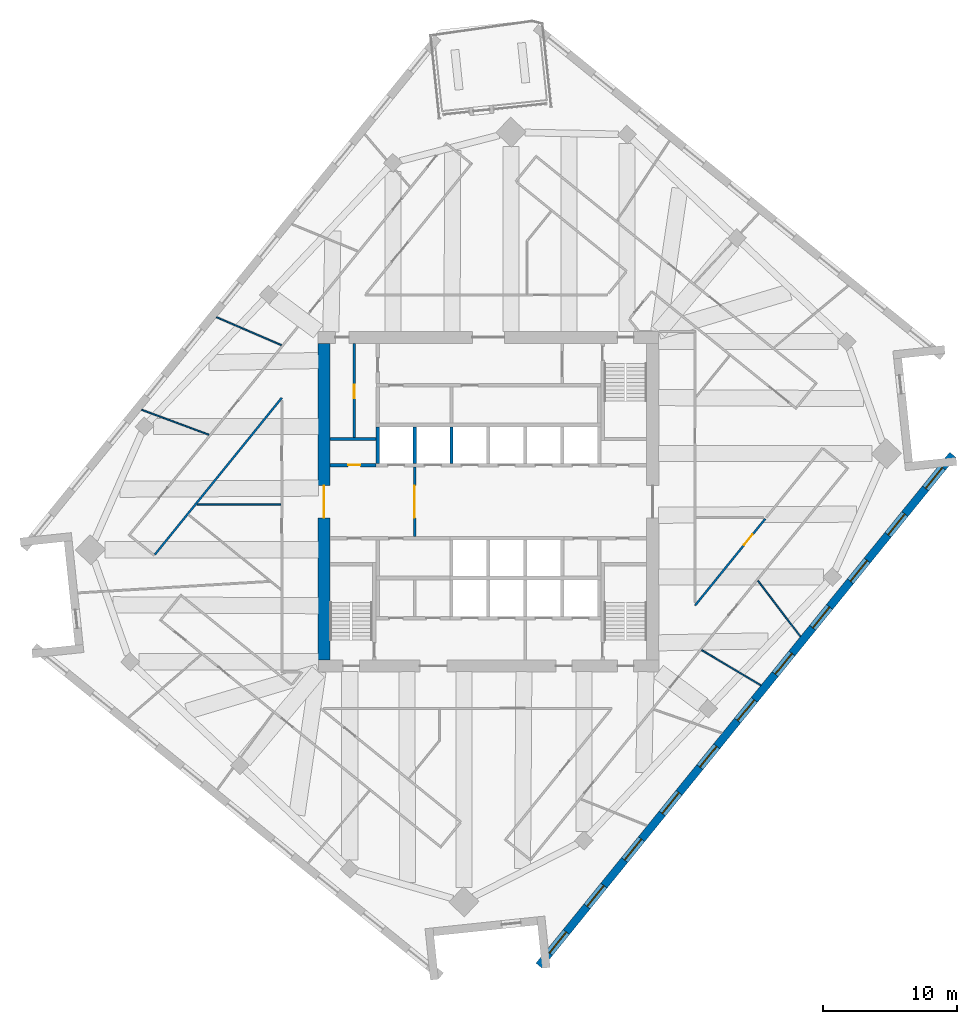
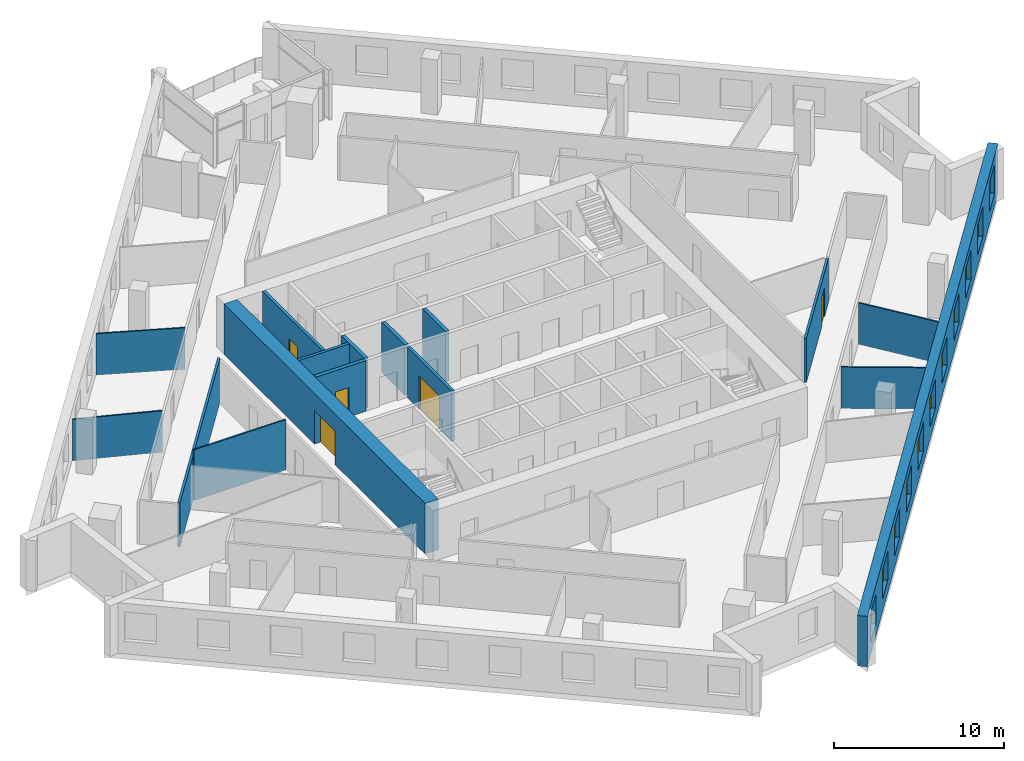
# One storey, part 9 of 14: 16 walls, 11 windows, 5 doors, 16 openings.
"""IFC4 building model written with IfcOpenShell, lengths in metres."""

from ifc_helpers import new_model, si_unit, direction, frame, frame_2d, origin, place, context, subcontext, project, spatial, rectangle, extrude, material, layer, layer_set, type_object, element, fill, save


model = new_model("IFC4")

# Units and contexts
model_context = context("Model", 3, precision=1e-05, world=origin(), true_north=direction((0.0, 1.0)))
body_context = subcontext(model_context, "Body", "Model", "MODEL_VIEW")
ifc_project = project(units=[si_unit("LENGTHUNIT", "METRE"), si_unit("AREAUNIT", "SQUARE_METRE"), si_unit("VOLUMEUNIT", "CUBIC_METRE"), si_unit("PLANEANGLEUNIT", "RADIAN"), si_unit("MASSUNIT", "GRAM", prefix="KILO")], contexts=[model_context])

# Site, building, storey
site_placement = place(None, origin())
site = spatial("IfcSite", under=ifc_project, at=site_placement, CompositionType="ELEMENT")
building_placement = place(site_placement, origin())
building = spatial("IfcBuilding", under=site, at=building_placement, Name="Dilmun Exchange Tower", CompositionType="ELEMENT")
storey_placement = place(building_placement, frame((0.0, 0.0, 229.300048828125)))
storey = spatial("IfcBuildingStorey", under=building, at=storey_placement, Name="L54", CompositionType="ELEMENT", Elevation=229.300048828125)

# Wall, opening, door
ifc_material_1 = material(Name="Concrete C40/50", Category="concrete")
ifc_layer_1 = layer(ifc_material_1, 0.199951171875)
ifc_layer_set_1 = layer_set([ifc_layer_1], Name="Concrete C40/50")
wall_type_1 = type_object("IfcWallType", Name="Core partition wall 200", PredefinedType="PARTITIONING", material=ifc_layer_set_1)
wall_1_placement = place(storey_placement, frame((-5.5, -2.594970703125, 0.0), z_axis=(0.0, 0.0, 1.0), x_axis=(0.0, 1.0, 0.0)))
wall_1 = element("IfcWall", 1, at=wall_1_placement, inside=storey, type_object=wall_type_1, Name="L54 core partition wall 10", PredefinedType="PARTITIONING", context=body_context, shape_type="SweptSolid", body=[
    extrude(rectangle(XDim=5.18994140625, YDim=0.199951171875, at=frame_2d((2.594970703125, 0.0))), origin(), (0.0, 0.0, 1.0), 3.619873046875),
])
opening_1_placement = place(wall_1_placement, frame((1.39501953125, 0.0, 0.0)))
opening_1 = element("IfcOpeningElement", 2, at=opening_1_placement, cuts=wall_1, Name="Opening CD1", PredefinedType="OPENING", context=body_context, shape_type="SweptSolid", body=[
    extrude(rectangle(XDim=2.39990234375, YDim=2.39990234375, at=frame_2d((1.199951171875, 1.199951171875))), frame((0.0, 0.10986328125, 0.0), z_axis=(0.0, -1.0, 0.0), x_axis=(1.0, 0.0, 0.0)), (0.0, 0.0, 1.0), 0.219970703125),
])
ifc_material_2 = material(Name="Fire-rated steel door set", Category="steel")
door_type_1 = type_object("IfcDoorType", Name="Core lobby door 2400x2400", OperationType="DOUBLE_DOOR_DOUBLE_SWING", PredefinedType="DOOR", material=ifc_material_2)
door_1_placement = place(opening_1_placement, origin())
door_1 = element("IfcDoor", 3, at=door_1_placement, inside=storey, type_object=door_type_1, Name="L54 door Lift lobby east", OperationType="SINGLE_SWING_LEFT", OverallHeight=2.39990234375, OverallWidth=2.39990234375, PredefinedType="DOOR", context=body_context, shape_type="SweptSolid", body=[
    extrude(rectangle(XDim=2.39990234375, YDim=2.39990234375, at=frame_2d((1.199951171875, 1.199951171875))), frame((0.0, 0.02490234375, 0.0), z_axis=(0.0, -1.0, 0.0), x_axis=(1.0, 0.0, 0.0)), (0.0, 0.0, 1.0), 0.050048828125),
])
fill(opening_1, door_1)

# Wall
wall_2_placement = place(storey_placement, frame((-11.794921875, 4.675048828125, 0.0), z_axis=(0.0, 0.0, 1.0), x_axis=(1.0, 0.0, 0.0)))
element("IfcWall", 4, at=wall_2_placement, inside=storey, type_object=wall_type_1, Name="L54 core partition wall 13", PredefinedType="PARTITIONING", context=body_context, shape_type="SweptSolid", body=[
    extrude(rectangle(XDim=3.4150390625, YDim=0.199951171875, at=frame_2d((1.70751953125, 0.0))), origin(), (0.0, 0.0, 1.0), 3.619873046875),
])

# Wall, opening, door
wall_3_placement = place(storey_placement, frame((-10.0, 4.780029296875, 0.0), z_axis=(0.0, 0.0, 1.0), x_axis=(0.0, 1.0, 0.0)))
wall_3 = element("IfcWall", 5, at=wall_3_placement, inside=storey, type_object=wall_type_1, Name="L54 core partition wall 14", PredefinedType="PARTITIONING", context=body_context, shape_type="SweptSolid", body=[
    extrude(rectangle(XDim=7.014892578125, YDim=0.199951171875, at=frame_2d((3.50732421875, 0.0))), origin(), (0.0, 0.0, 1.0), 3.619873046875),
])
opening_2_placement = place(wall_3_placement, frame((2.919921875, 0.0, 0.0)))
opening_2 = element("IfcOpeningElement", 6, at=opening_2_placement, cuts=wall_3, Name="Opening CD4", PredefinedType="OPENING", context=body_context, shape_type="SweptSolid", body=[
    extrude(rectangle(XDim=1.0, YDim=2.10009765625, at=frame_2d((0.5, 1.050048828125))), frame((0.0, 0.10986328125, 0.0), z_axis=(0.0, -1.0, 0.0), x_axis=(1.0, 0.0, 0.0)), (0.0, 0.0, 1.0), 0.219970703125),
])
door_type_2 = type_object("IfcDoorType", Name="Core room door 1000x2100", OperationType="SINGLE_SWING_LEFT", PredefinedType="DOOR", material=ifc_material_2)
door_2_placement = place(opening_2_placement, origin())
door_2 = element("IfcDoor", 7, at=door_2_placement, inside=storey, type_object=door_type_2, Name="L54 door Comms room", OperationType="SINGLE_SWING_LEFT", OverallHeight=2.10009765625, OverallWidth=1.0, PredefinedType="DOOR", context=body_context, shape_type="SweptSolid", body=[
    extrude(rectangle(XDim=1.0, YDim=2.10009765625, at=frame_2d((0.5, 1.050048828125))), frame((0.0, 0.02490234375, 0.0), z_axis=(0.0, -1.0, 0.0), x_axis=(1.0, 0.0, 0.0)), (0.0, 0.0, 1.0), 0.050048828125),
])
fill(opening_2, door_2)

ifc_layer_2 = layer(ifc_material_1, 0.25)
ifc_layer_set_2 = layer_set([ifc_layer_2], Name="Concrete C40/50")
wall_type_2 = type_object("IfcWallType", Name="Core partition wall 250", PredefinedType="PARTITIONING", material=ifc_layer_set_2)
wall_4_placement = place(storey_placement, frame((-11.794921875, 2.72509765625, 0.0), z_axis=(0.0, 0.0, 1.0), x_axis=(1.0, 0.0, 0.0)))
wall_4 = element("IfcWall", 8, at=wall_4_placement, inside=storey, type_object=wall_type_2, Name="L54 core partition wall 11", PredefinedType="PARTITIONING", context=body_context, shape_type="SweptSolid", body=[
    extrude(rectangle(XDim=3.4150390625, YDim=0.25, at=frame_2d((1.70751953125, 0.0))), origin(), (0.0, 0.0, 1.0), 3.619873046875),
])
opening_3_placement = place(wall_4_placement, frame((1.344970703125, 0.0, 0.0)))
opening_3 = element("IfcOpeningElement", 9, at=opening_3_placement, cuts=wall_4, Name="Opening CD6", PredefinedType="OPENING", context=body_context, shape_type="SweptSolid", body=[
    extrude(rectangle(XDim=0.89990234375, YDim=2.10009765625, at=frame_2d((0.449951171875, 1.050048828125))), frame((0.0, 0.135009765625, 0.0), z_axis=(0.0, -1.0, 0.0), x_axis=(1.0, 0.0, 0.0)), (0.0, 0.0, 1.0), 0.27001953125),
])
door_type_3 = type_object("IfcDoorType", Name="Core room door 900x2100", OperationType="SINGLE_SWING_LEFT", PredefinedType="DOOR", material=ifc_material_2)
door_3_placement = place(opening_3_placement, origin())
door_3 = element("IfcDoor", 10, at=door_3_placement, inside=storey, type_object=door_type_3, Name="L54 door Plumbing riser", OperationType="SINGLE_SWING_LEFT", OverallHeight=2.10009765625, OverallWidth=0.89990234375, PredefinedType="DOOR", context=body_context, shape_type="SweptSolid", body=[
    extrude(rectangle(XDim=0.89990234375, YDim=2.10009765625, at=frame_2d((0.449951171875, 1.050048828125))), frame((0.0, 0.02490234375, 0.0), z_axis=(0.0, -1.0, 0.0), x_axis=(1.0, 0.0, 0.0)), (0.0, 0.0, 1.0), 0.050048828125),
])
fill(opening_3, door_3)

ifc_material_3 = material(Name="Concrete C60/75", Category="concrete")
ifc_layer_3 = layer(ifc_material_3, 0.89990234375)
ifc_layer_set_3 = layer_set([ifc_layer_3], Name="Concrete C60/75")
wall_type_3 = type_object("IfcWallType", Name="Core shear wall 900 Concrete C60/75", PredefinedType="SHEAR", material=ifc_layer_set_3)
wall_5_placement = place(storey_placement, frame((-12.25, -11.800048828125, 0.0), z_axis=(0.0, 0.0, 1.0), x_axis=(0.0, 1.0, 0.0)))
wall_5 = element("IfcWall", 11, at=wall_5_placement, inside=storey, type_object=wall_type_3, Name="L54 core shear wall W", PredefinedType="SHEAR", context=body_context, shape_type="SweptSolid", body=[
    extrude(rectangle(XDim=23.60009765625, YDim=0.89990234375, at=frame_2d((11.800048828125, 0.0))), origin(), (0.0, 0.0, 1.0), 3.619873046875),
])
opening_4_placement = place(wall_5_placement, frame((10.60009765625, 0.0, 0.0)))
opening_4 = element("IfcOpeningElement", 12, at=opening_4_placement, cuts=wall_5, Name="Opening CD1", PredefinedType="OPENING", context=body_context, shape_type="SweptSolid", body=[
    extrude(rectangle(XDim=2.39990234375, YDim=2.39990234375, at=frame_2d((1.199951171875, 1.199951171875))), frame((0.0, 0.4599609375, 0.0), z_axis=(0.0, -1.0, 0.0), x_axis=(1.0, 0.0, 0.0)), (0.0, 0.0, 1.0), 0.919921875),
])
door_4_placement = place(opening_4_placement, origin())
door_4 = element("IfcDoor", 13, at=door_4_placement, inside=storey, type_object=door_type_1, Name="L54 door Central lift lobby", OperationType="SINGLE_SWING_LEFT", OverallHeight=2.39990234375, OverallWidth=2.39990234375, PredefinedType="DOOR", context=body_context, shape_type="SweptSolid", body=[
    extrude(rectangle(XDim=2.39990234375, YDim=2.39990234375, at=frame_2d((1.199951171875, 1.199951171875))), frame((0.0, 0.02490234375, 0.0), z_axis=(0.0, -1.0, 0.0), x_axis=(1.0, 0.0, 0.0)), (0.0, 0.0, 1.0), 0.050048828125),
])
fill(opening_4, door_4)

# Wall
ifc_material_4 = material(Name="Corridor wall 150")
ifc_layer_4 = layer(ifc_material_4, 0.14990234375)
ifc_layer_set_4 = layer_set([ifc_layer_4], Name="Corridor wall 150")
wall_type_4 = type_object("IfcWallType", Name="Corridor wall 150", PredefinedType="PARTITIONING", material=ifc_layer_set_4)
wall_6_placement = place(storey_placement, frame((-24.856689453125, -3.938720703125, 0.0), z_axis=(0.0, 0.0, 1.0), x_axis=(0.629334227899, 0.777134756393, 0.0)))
element("IfcWall", 14, at=wall_6_placement, inside=storey, type_object=wall_type_4, Name="Corridor wall", PredefinedType="PARTITIONING", context=body_context, shape_type="SweptSolid", body=[
    extrude(rectangle(XDim=15.026611328125, YDim=0.14990234375, at=frame_2d((7.51318359375, 0.0))), origin(), (0.0, 0.0, 1.0), 3.169921875),
])

# Wall, opening, door
wall_7_placement = place(storey_placement, frame((15.39990234375, -7.739013671875, 0.0), z_axis=(0.0, 0.0, 1.0), x_axis=(0.629348532184, 0.777123172373, 0.0)))
wall_7 = element("IfcWall", 15, at=wall_7_placement, inside=storey, type_object=wall_type_4, Name="Corridor wall", PredefinedType="PARTITIONING", context=body_context, shape_type="SweptSolid", body=[
    extrude(rectangle(XDim=8.316650390625, YDim=0.14990234375, at=frame_2d((4.158203125, 0.0))), origin(), (0.0, 0.0, 1.0), 3.169921875),
])
opening_5_placement = place(wall_7_placement, frame((5.800048828125, 0.0, 0.0)))
opening_5 = element("IfcOpeningElement", 16, at=opening_5_placement, cuts=wall_7, Name="Opening TF53-D20", PredefinedType="OPENING", context=body_context, shape_type="SweptSolid", body=[
    extrude(rectangle(XDim=1.0, YDim=2.10009765625, at=frame_2d((0.5, 1.050048828125))), frame((0.0, 0.0849609375, 0.0), z_axis=(0.0, -1.0, 0.0), x_axis=(1.0, 0.0, 0.0)), (0.0, 0.0, 1.0), 0.169921875),
])
ifc_material_5 = material(Name="Fire door 1000 x 2100")
door_type_4 = type_object("IfcDoorType", Name="Fire door 1000 x 2100", OperationType="NOTDEFINED", PredefinedType="DOOR", material=ifc_material_5)
door_5_placement = place(opening_5_placement, origin())
door_5 = element("IfcDoor", 17, at=door_5_placement, inside=storey, type_object=door_type_4, Name="Door TF53-D20", OperationType="SINGLE_SWING_RIGHT", OverallHeight=2.10009765625, OverallWidth=1.0, PredefinedType="DOOR", context=body_context, shape_type="SweptSolid", body=[
    extrude(rectangle(XDim=1.0, YDim=2.10009765625, at=frame_2d((0.5, 1.050048828125))), frame((0.0, 0.02490234375, 0.0), z_axis=(0.0, -1.0, 0.0), x_axis=(1.0, 0.0, 0.0)), (0.0, 0.0, 1.0), 0.050048828125),
])
fill(opening_5, door_5)

# Walls
ifc_layer_5 = layer(ifc_material_1, 0.25)
ifc_layer_set_5 = layer_set([ifc_layer_5], Name="Concrete C40/50")
wall_type_5 = type_object("IfcWallType", Name="Lift shaft wall 250", PredefinedType="SOLIDWALL", material=ifc_layer_set_5)
for number, where, z_axis, x_axis, name in (
    (18, (-8.25, 2.85009765625, 0.0), (0.0, 0.0, 1.0), (0.0, 1.0, 0.0), "L54 lift shaft divider N10"),
    (19, (-5.5, 2.85009765625, 0.0), (0.0, 0.0, 1.0), (0.0, 1.0, 0.0), "L54 lift shaft divider N11"),
    (20, (-2.75, 2.85009765625, 0.0), (0.0, 0.0, 1.0), (0.0, 1.0, 0.0), "L54 lift shaft divider N12"),
):
    element("IfcWall", number, at=place(storey_placement, frame(where, z_axis=z_axis, x_axis=x_axis)), inside=storey, type_object=wall_type_5, Name=name, PredefinedType="SOLIDWALL", context=body_context, shape_type="SweptSolid", body=[
        extrude(rectangle(XDim=2.699951171875, YDim=0.25, at=frame_2d((1.35009765625, 0.0))), origin(), (0.0, 0.0, 1.0), 3.619873046875),
    ])
ifc_material_6 = material(Name="Partition 100")
ifc_layer_6 = layer(ifc_material_6, 0.10009765625)
ifc_layer_set_6 = layer_set([ifc_layer_6], Name="Partition 100")
wall_type_6 = type_object("IfcWallType", Name="Partition 100", PredefinedType="PARTITIONING", material=ifc_layer_set_6)
wall_8_placement = place(storey_placement, frame((-25.8447265625, 6.853515625, 0.0), z_axis=(0.0, 0.0, 1.0), x_axis=(0.937152085017, -0.348921150905, 0.0)))
element("IfcWall", 21, at=wall_8_placement, inside=storey, type_object=wall_type_6, Name="Partition", PredefinedType="PARTITIONING", context=body_context, shape_type="SweptSolid", body=[
    extrude(rectangle(XDim=5.347900390625, YDim=0.10009765625, at=frame_2d((2.673828125, 0.0))), origin(), (0.0, 0.0, 1.0), 2.969970703125),
])
wall_9_placement = place(storey_placement, frame((-21.705078125, -0.216064453125, 0.0), z_axis=(0.0, 0.0, 1.0), x_axis=(1.0, 0.0, 0.0)))
element("IfcWall", 22, at=wall_9_placement, inside=storey, type_object=wall_type_6, Name="Partition", PredefinedType="PARTITIONING", context=body_context, shape_type="SweptSolid", body=[
    extrude(rectangle(XDim=6.22998046875, YDim=0.10009765625, at=frame_2d((3.114990234375, 0.0))), origin(), (0.0, 0.0, 1.0), 3.619873046875),
])
wall_10_placement = place(storey_placement, frame((-20.2587890625, 13.751220703125, 0.0), z_axis=(0.0, 0.0, 1.0), x_axis=(0.918139792182, -0.396256636553, 0.0)))
element("IfcWall", 23, at=wall_10_placement, inside=storey, type_object=wall_type_6, Name="Partition", PredefinedType="PARTITIONING", context=body_context, shape_type="SweptSolid", body=[
    extrude(rectangle(XDim=5.2666015625, YDim=0.10009765625, at=frame_2d((2.63330078125, 0.0))), origin(), (0.0, 0.0, 1.0), 2.969970703125),
])
wall_11_placement = place(storey_placement, frame((15.900390625, -11.064453125, 0.0), z_axis=(0.0, 0.0, 1.0), x_axis=(0.859280435997, -0.511504772522, 0.0)))
element("IfcWall", 24, at=wall_11_placement, inside=storey, type_object=wall_type_6, Name="Partition", PredefinedType="PARTITIONING", context=body_context, shape_type="SweptSolid", body=[
    extrude(rectangle(XDim=5.130859375, YDim=0.10009765625, at=frame_2d((2.5654296875, 0.0))), origin(), (0.0, 0.0, 1.0), 2.969970703125),
])
wall_12_placement = place(storey_placement, frame((20.09326171875, -5.89501953125, 0.0), z_axis=(0.0, 0.0, 1.0), x_axis=(0.605640268949, -0.795738565502, 0.0)))
element("IfcWall", 25, at=wall_12_placement, inside=storey, type_object=wall_type_6, Name="Partition", PredefinedType="PARTITIONING", context=body_context, shape_type="SweptSolid", body=[
    extrude(rectangle(XDim=5.221923828125, YDim=0.10009765625, at=frame_2d((2.61083984375, 0.0))), origin(), (0.0, 0.0, 1.0), 2.969970703125),
])

# Wall, openings, windows
ifc_material_7 = material(Name="Precast concrete C50/60", Category="concrete")
ifc_layer_7 = layer(ifc_material_7, 0.60009765625)
ifc_layer_set_7 = layer_set([ifc_layer_7], Name="Precast concrete C50/60")
wall_type_7 = type_object("IfcWallType", Name="Precast stone-clad wall 600", PredefinedType="STANDARD", material=ifc_layer_set_7)
wall_13_placement = place(storey_placement, frame((3.777099609375, -34.584228515625, 0.0), z_axis=(0.0, 0.0, 1.0), x_axis=(0.629323778295, 0.777143218508, 0.0)))
wall_13 = element("IfcWall", 26, at=wall_13_placement, inside=storey, type_object=wall_type_7, Name="Facade wall L54-11", PredefinedType="STANDARD", context=body_context, shape_type="SweptSolid", body=[
    extrude(rectangle(XDim=49.0, YDim=0.60009765625, at=frame_2d((24.5, 0.0))), origin(), (0.0, 0.0, 1.0), 3.619873046875),
])
opening_6_placement = place(wall_13_placement, frame((1.227294921875, 0.0, 0.89990234375)))
opening_6 = element("IfcOpeningElement", 27, at=opening_6_placement, cuts=wall_13, Name="Opening W200-210", PredefinedType="OPENING", context=body_context, shape_type="SweptSolid", body=[
    extrude(rectangle(XDim=2.0, YDim=2.10009765625, at=frame_2d((1.0, 1.050048828125))), frame((0.0, 0.31005859375, 0.0), z_axis=(0.0, -1.0, 0.0), x_axis=(1.0, 0.0, 0.0)), (0.0, 0.0, 1.0), 0.6201171875),
])
opening_7_placement = place(wall_13_placement, frame((5.681884765625, 0.0, 0.89990234375)))
opening_7 = element("IfcOpeningElement", 28, at=opening_7_placement, cuts=wall_13, Name="Opening W200-210", PredefinedType="OPENING", context=body_context, shape_type="SweptSolid", body=[
    extrude(rectangle(XDim=2.0, YDim=2.10009765625, at=frame_2d((1.0, 1.050048828125))), frame((0.0, 0.31005859375, 0.0), z_axis=(0.0, -1.0, 0.0), x_axis=(1.0, 0.0, 0.0)), (0.0, 0.0, 1.0), 0.6201171875),
])
opening_8_placement = place(wall_13_placement, frame((10.136474609375, 0.0, 0.89990234375)))
opening_8 = element("IfcOpeningElement", 29, at=opening_8_placement, cuts=wall_13, Name="Opening W200-210", PredefinedType="OPENING", context=body_context, shape_type="SweptSolid", body=[
    extrude(rectangle(XDim=2.0, YDim=2.10009765625, at=frame_2d((1.0, 1.050048828125))), frame((0.0, 0.31005859375, 0.0), z_axis=(0.0, -1.0, 0.0), x_axis=(1.0, 0.0, 0.0)), (0.0, 0.0, 1.0), 0.6201171875),
])
opening_9_placement = place(wall_13_placement, frame((14.5908203125, 0.0, 0.89990234375)))
opening_9 = element("IfcOpeningElement", 30, at=opening_9_placement, cuts=wall_13, Name="Opening W200-210", PredefinedType="OPENING", context=body_context, shape_type="SweptSolid", body=[
    extrude(rectangle(XDim=2.0, YDim=2.10009765625, at=frame_2d((1.0, 1.050048828125))), frame((0.0, 0.31005859375, 0.0), z_axis=(0.0, -1.0, 0.0), x_axis=(1.0, 0.0, 0.0)), (0.0, 0.0, 1.0), 0.6201171875),
])
opening_10_placement = place(wall_13_placement, frame((19.04541015625, 0.0, 0.89990234375)))
opening_10 = element("IfcOpeningElement", 31, at=opening_10_placement, cuts=wall_13, Name="Opening W200-210", PredefinedType="OPENING", context=body_context, shape_type="SweptSolid", body=[
    extrude(rectangle(XDim=2.0, YDim=2.10009765625, at=frame_2d((1.0, 1.050048828125))), frame((0.0, 0.31005859375, 0.0), z_axis=(0.0, -1.0, 0.0), x_axis=(1.0, 0.0, 0.0)), (0.0, 0.0, 1.0), 0.6201171875),
])
opening_11_placement = place(wall_13_placement, frame((23.5, 0.0, 0.89990234375)))
opening_11 = element("IfcOpeningElement", 32, at=opening_11_placement, cuts=wall_13, Name="Opening W200-210", PredefinedType="OPENING", context=body_context, shape_type="SweptSolid", body=[
    extrude(rectangle(XDim=2.0, YDim=2.10009765625, at=frame_2d((1.0, 1.050048828125))), frame((0.0, 0.31005859375, 0.0), z_axis=(0.0, -1.0, 0.0), x_axis=(1.0, 0.0, 0.0)), (0.0, 0.0, 1.0), 0.6201171875),
])
opening_12_placement = place(wall_13_placement, frame((27.95458984375, 0.0, 0.89990234375)))
opening_12 = element("IfcOpeningElement", 33, at=opening_12_placement, cuts=wall_13, Name="Opening W200-210", PredefinedType="OPENING", context=body_context, shape_type="SweptSolid", body=[
    extrude(rectangle(XDim=2.0, YDim=2.10009765625, at=frame_2d((1.0, 1.050048828125))), frame((0.0, 0.31005859375, 0.0), z_axis=(0.0, -1.0, 0.0), x_axis=(1.0, 0.0, 0.0)), (0.0, 0.0, 1.0), 0.6201171875),
])
opening_13_placement = place(wall_13_placement, frame((32.4091796875, 0.0, 0.89990234375)))
opening_13 = element("IfcOpeningElement", 34, at=opening_13_placement, cuts=wall_13, Name="Opening W200-210", PredefinedType="OPENING", context=body_context, shape_type="SweptSolid", body=[
    extrude(rectangle(XDim=2.0, YDim=2.10009765625, at=frame_2d((1.0, 1.050048828125))), frame((0.0, 0.31005859375, 0.0), z_axis=(0.0, -1.0, 0.0), x_axis=(1.0, 0.0, 0.0)), (0.0, 0.0, 1.0), 0.6201171875),
])
opening_14_placement = place(wall_13_placement, frame((36.863525390625, 0.0, 0.89990234375)))
opening_14 = element("IfcOpeningElement", 35, at=opening_14_placement, cuts=wall_13, Name="Opening W200-210", PredefinedType="OPENING", context=body_context, shape_type="SweptSolid", body=[
    extrude(rectangle(XDim=2.0, YDim=2.10009765625, at=frame_2d((1.0, 1.050048828125))), frame((0.0, 0.31005859375, 0.0), z_axis=(0.0, -1.0, 0.0), x_axis=(1.0, 0.0, 0.0)), (0.0, 0.0, 1.0), 0.6201171875),
])
opening_15_placement = place(wall_13_placement, frame((41.318115234375, 0.0, 0.89990234375)))
opening_15 = element("IfcOpeningElement", 36, at=opening_15_placement, cuts=wall_13, Name="Opening W200-210", PredefinedType="OPENING", context=body_context, shape_type="SweptSolid", body=[
    extrude(rectangle(XDim=2.0, YDim=2.10009765625, at=frame_2d((1.0, 1.050048828125))), frame((0.0, 0.31005859375, 0.0), z_axis=(0.0, -1.0, 0.0), x_axis=(1.0, 0.0, 0.0)), (0.0, 0.0, 1.0), 0.6201171875),
])
opening_16_placement = place(wall_13_placement, frame((45.772705078125, 0.0, 0.89990234375)))
opening_16 = element("IfcOpeningElement", 37, at=opening_16_placement, cuts=wall_13, Name="Opening W200-210", PredefinedType="OPENING", context=body_context, shape_type="SweptSolid", body=[
    extrude(rectangle(XDim=2.0, YDim=2.10009765625, at=frame_2d((1.0, 1.050048828125))), frame((0.0, 0.31005859375, 0.0), z_axis=(0.0, -1.0, 0.0), x_axis=(1.0, 0.0, 0.0)), (0.0, 0.0, 1.0), 0.6201171875),
])
ifc_material_8 = material(Name="Clear low-emissivity glass in aluminium frame", Category="aluminium")
window_type = type_object("IfcWindowType", Name="Punched window 2000 x 2100", PartitioningType="DOUBLE_PANEL_VERTICAL", PredefinedType="WINDOW", material=ifc_material_8)
window_1_placement = place(opening_6_placement, origin())
window_1 = element("IfcWindow", 38, at=window_1_placement, inside=storey, type_object=window_type, Name="Window 12.1", OverallHeight=2.10009765625, OverallWidth=2.0, PartitioningType="SINGLE_PANEL", PredefinedType="WINDOW", context=body_context, shape_type="SweptSolid", body=[
    extrude(rectangle(XDim=2.0, YDim=2.10009765625, at=frame_2d((1.0, 1.050048828125))), frame((0.0, 0.030029296875, 0.0), z_axis=(0.0, -1.0, 0.0), x_axis=(1.0, 0.0, 0.0)), (0.0, 0.0, 1.0), 0.06005859375),
])
fill(opening_6, window_1)
window_2_placement = place(opening_7_placement, origin())
window_2 = element("IfcWindow", 39, at=window_2_placement, inside=storey, type_object=window_type, Name="Window 12.2", OverallHeight=2.10009765625, OverallWidth=2.0, PartitioningType="SINGLE_PANEL", PredefinedType="WINDOW", context=body_context, shape_type="SweptSolid", body=[
    extrude(rectangle(XDim=2.0, YDim=2.10009765625, at=frame_2d((1.0, 1.050048828125))), frame((0.0, 0.030029296875, 0.0), z_axis=(0.0, -1.0, 0.0), x_axis=(1.0, 0.0, 0.0)), (0.0, 0.0, 1.0), 0.06005859375),
])
fill(opening_7, window_2)
window_3_placement = place(opening_8_placement, origin())
window_3 = element("IfcWindow", 40, at=window_3_placement, inside=storey, type_object=window_type, Name="Window 12.3", OverallHeight=2.10009765625, OverallWidth=2.0, PartitioningType="SINGLE_PANEL", PredefinedType="WINDOW", context=body_context, shape_type="SweptSolid", body=[
    extrude(rectangle(XDim=2.0, YDim=2.10009765625, at=frame_2d((1.0, 1.050048828125))), frame((0.0, 0.030029296875, 0.0), z_axis=(0.0, -1.0, 0.0), x_axis=(1.0, 0.0, 0.0)), (0.0, 0.0, 1.0), 0.06005859375),
])
fill(opening_8, window_3)
window_4_placement = place(opening_9_placement, origin())
window_4 = element("IfcWindow", 41, at=window_4_placement, inside=storey, type_object=window_type, Name="Window 12.4", OverallHeight=2.10009765625, OverallWidth=2.0, PartitioningType="SINGLE_PANEL", PredefinedType="WINDOW", context=body_context, shape_type="SweptSolid", body=[
    extrude(rectangle(XDim=2.0, YDim=2.10009765625, at=frame_2d((1.0, 1.050048828125))), frame((0.0, 0.030029296875, 0.0), z_axis=(0.0, -1.0, 0.0), x_axis=(1.0, 0.0, 0.0)), (0.0, 0.0, 1.0), 0.06005859375),
])
fill(opening_9, window_4)
window_5_placement = place(opening_10_placement, origin())
window_5 = element("IfcWindow", 42, at=window_5_placement, inside=storey, type_object=window_type, Name="Window 12.5", OverallHeight=2.10009765625, OverallWidth=2.0, PartitioningType="SINGLE_PANEL", PredefinedType="WINDOW", context=body_context, shape_type="SweptSolid", body=[
    extrude(rectangle(XDim=2.0, YDim=2.10009765625, at=frame_2d((1.0, 1.050048828125))), frame((0.0, 0.030029296875, 0.0), z_axis=(0.0, -1.0, 0.0), x_axis=(1.0, 0.0, 0.0)), (0.0, 0.0, 1.0), 0.06005859375),
])
fill(opening_10, window_5)
window_6_placement = place(opening_11_placement, origin())
window_6 = element("IfcWindow", 43, at=window_6_placement, inside=storey, type_object=window_type, Name="Window 12.6", OverallHeight=2.10009765625, OverallWidth=2.0, PartitioningType="SINGLE_PANEL", PredefinedType="WINDOW", context=body_context, shape_type="SweptSolid", body=[
    extrude(rectangle(XDim=2.0, YDim=2.10009765625, at=frame_2d((1.0, 1.050048828125))), frame((0.0, 0.030029296875, 0.0), z_axis=(0.0, -1.0, 0.0), x_axis=(1.0, 0.0, 0.0)), (0.0, 0.0, 1.0), 0.06005859375),
])
fill(opening_11, window_6)
window_7_placement = place(opening_12_placement, origin())
window_7 = element("IfcWindow", 44, at=window_7_placement, inside=storey, type_object=window_type, Name="Window 12.7", OverallHeight=2.10009765625, OverallWidth=2.0, PartitioningType="SINGLE_PANEL", PredefinedType="WINDOW", context=body_context, shape_type="SweptSolid", body=[
    extrude(rectangle(XDim=2.0, YDim=2.10009765625, at=frame_2d((1.0, 1.050048828125))), frame((0.0, 0.030029296875, 0.0), z_axis=(0.0, -1.0, 0.0), x_axis=(1.0, 0.0, 0.0)), (0.0, 0.0, 1.0), 0.06005859375),
])
fill(opening_12, window_7)
window_8_placement = place(opening_13_placement, origin())
window_8 = element("IfcWindow", 45, at=window_8_placement, inside=storey, type_object=window_type, Name="Window 12.8", OverallHeight=2.10009765625, OverallWidth=2.0, PartitioningType="SINGLE_PANEL", PredefinedType="WINDOW", context=body_context, shape_type="SweptSolid", body=[
    extrude(rectangle(XDim=2.0, YDim=2.10009765625, at=frame_2d((1.0, 1.050048828125))), frame((0.0, 0.030029296875, 0.0), z_axis=(0.0, -1.0, 0.0), x_axis=(1.0, 0.0, 0.0)), (0.0, 0.0, 1.0), 0.06005859375),
])
fill(opening_13, window_8)
window_9_placement = place(opening_14_placement, origin())
window_9 = element("IfcWindow", 46, at=window_9_placement, inside=storey, type_object=window_type, Name="Window 12.9", OverallHeight=2.10009765625, OverallWidth=2.0, PartitioningType="SINGLE_PANEL", PredefinedType="WINDOW", context=body_context, shape_type="SweptSolid", body=[
    extrude(rectangle(XDim=2.0, YDim=2.10009765625, at=frame_2d((1.0, 1.050048828125))), frame((0.0, 0.030029296875, 0.0), z_axis=(0.0, -1.0, 0.0), x_axis=(1.0, 0.0, 0.0)), (0.0, 0.0, 1.0), 0.06005859375),
])
fill(opening_14, window_9)
window_10_placement = place(opening_15_placement, origin())
window_10 = element("IfcWindow", 47, at=window_10_placement, inside=storey, type_object=window_type, Name="Window 12.10", OverallHeight=2.10009765625, OverallWidth=2.0, PartitioningType="SINGLE_PANEL", PredefinedType="WINDOW", context=body_context, shape_type="SweptSolid", body=[
    extrude(rectangle(XDim=2.0, YDim=2.10009765625, at=frame_2d((1.0, 1.050048828125))), frame((0.0, 0.030029296875, 0.0), z_axis=(0.0, -1.0, 0.0), x_axis=(1.0, 0.0, 0.0)), (0.0, 0.0, 1.0), 0.06005859375),
])
fill(opening_15, window_10)
window_11_placement = place(opening_16_placement, origin())
window_11 = element("IfcWindow", 48, at=window_11_placement, inside=storey, type_object=window_type, Name="Window 12.11", OverallHeight=2.10009765625, OverallWidth=2.0, PartitioningType="SINGLE_PANEL", PredefinedType="WINDOW", context=body_context, shape_type="SweptSolid", body=[
    extrude(rectangle(XDim=2.0, YDim=2.10009765625, at=frame_2d((1.0, 1.050048828125))), frame((0.0, 0.030029296875, 0.0), z_axis=(0.0, -1.0, 0.0), x_axis=(1.0, 0.0, 0.0)), (0.0, 0.0, 1.0), 0.06005859375),
])
fill(opening_16, window_11)

save(model, "model.ifc")
